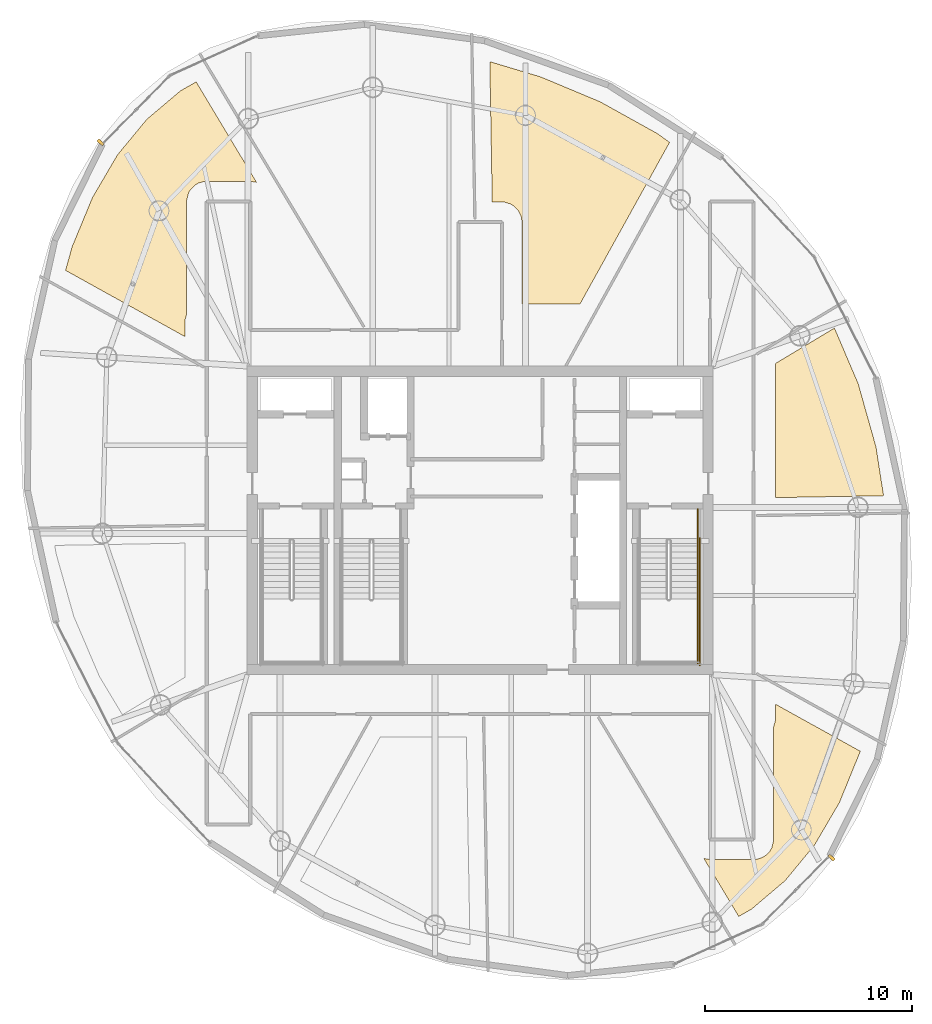
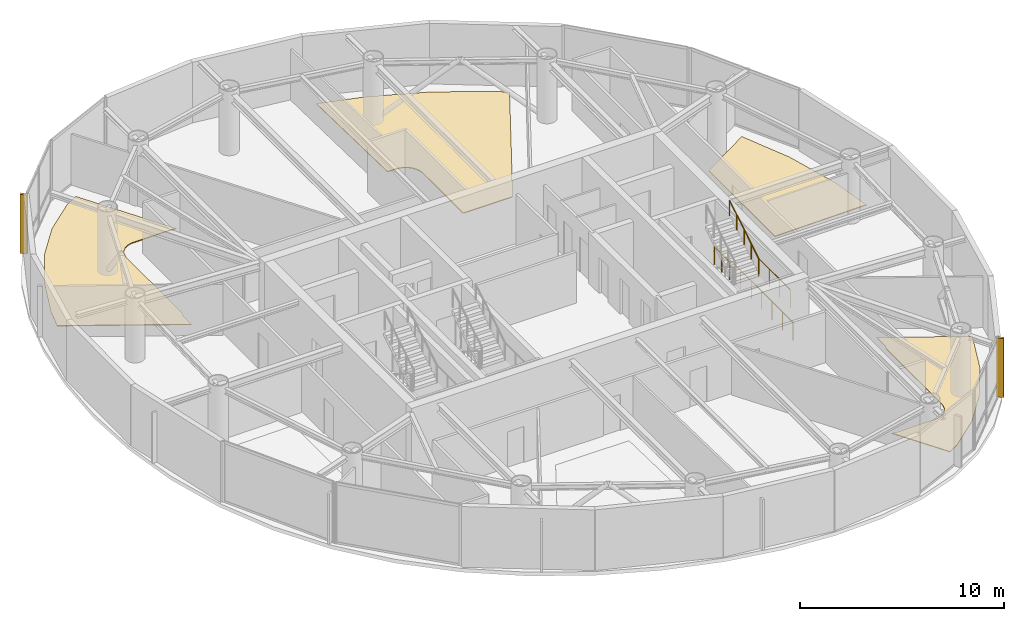
# One storey, part 22 of 22: 4 coverings, 4 railings, 2 shading devices.
"""IFC4 building model written with IfcOpenShell, lengths in metres."""

from ifc_helpers import new_model, si_unit, direction, frame, origin, origin_2d, place, context, subcontext, project, spatial, polyline, rectangle, circle, outline, extrude, material, layer, layer_set, type_object, element, save


model = new_model("IFC4")

# Units and contexts
model_context = context("Model", 3, precision=1e-05, world=origin(), true_north=direction((0.0, 1.0)))
body_context = subcontext(model_context, "Body", "Model", "MODEL_VIEW")
ifc_project = project(units=[si_unit("LENGTHUNIT", "METRE"), si_unit("AREAUNIT", "SQUARE_METRE"), si_unit("VOLUMEUNIT", "CUBIC_METRE"), si_unit("PLANEANGLEUNIT", "RADIAN"), si_unit("MASSUNIT", "GRAM", prefix="KILO")], contexts=[model_context])

# Site, building, storey
site_placement = place(None, origin())
site = spatial("IfcSite", under=ifc_project, at=site_placement, CompositionType="ELEMENT")
building_placement = place(site_placement, origin())
building = spatial("IfcBuilding", under=site, at=building_placement, Name="Bramvorn Convention Spire", CompositionType="ELEMENT")
storey_placement = place(building_placement, frame((0.0, 0.0, 253.60009765625)))
storey = spatial("IfcBuildingStorey", under=building, at=storey_placement, Name="L64", CompositionType="ELEMENT", Elevation=253.60009765625)

# Coverings
ifc_material_1 = material(Name="Calcium-Sulphate Raised Access Office Floor", Category="steel")
ifc_layer = layer(ifc_material_1, 0.044921875)
ifc_layer_set = layer_set([ifc_layer], Name="Calcium-Sulphate Raised Access Office Floor - FLR-RAISED-45")
covering_type = type_object("IfcCoveringType", Name="FLR-RAISED-45", PredefinedType="FLOORING", material=ifc_layer_set)
covering_1_placement = place(storey_placement, origin())
element("IfcCovering", 1, at=covering_1_placement, inside=storey, type_object=covering_type, Name="L64 Partner Office Chamber 1 1 raised floor finish", PredefinedType="FLOORING", context=body_context, shape_type="SweptSolid", body=[
    extrude(outline(polyline([(52.25, 33.570556640625), (52.25, 27.098876953125), (57.473388671875, 27.18994140625), (57.10498046875, 29.55322265625), (56.247314453125, 32.59912109375), (55.100830078125, 35.28369140625), (52.25, 33.570556640625)])), origin(), (0.0, 0.0, 1.0), 0.044921875),
])
covering_2_placement = place(storey_placement, origin())
element("IfcCovering", 2, at=covering_2_placement, inside=storey, type_object=covering_type, Name="L64 Partner Office Chamber 3 3 raised floor finish", PredefinedType="FLOORING", context=body_context, shape_type="SweptSolid", body=[
    extrude(outline(polyline([(38.581787109375, 41.3701171875), (39.1865234375, 41.360107421875), (39.469970703125, 41.274169921875), (39.632568359375, 41.175537109375), (39.825439453125, 40.982421875), (39.989501953125, 40.641357421875), (40.02001953125, 40.39990234375), (40.02001953125, 36.449951171875), (42.82080078125, 36.449951171875), (47.14306640625, 44.247802734375), (46.558349609375, 44.67138671875), (43.7978515625, 46.20556640625), (40.918701171875, 47.409912109375), (38.463623046875, 48.14599609375), (38.581787109375, 41.3701171875)])), origin(), (0.0, 0.0, 1.0), 0.044921875),
])
covering_3_placement = place(storey_placement, origin())
element("IfcCovering", 3, at=covering_3_placement, inside=storey, type_object=covering_type, Name="L64 Associate Office Chamber 5 5 raised floor finish", PredefinedType="FLOORING", context=body_context, shape_type="SweptSolid", body=[
    extrude(outline(polyline([(18.3046875, 39.218994140625), (17.982666015625, 38.067626953125), (23.75, 34.870849609375), (23.754150390625, 35.683349609375), (23.830078125, 35.95751953125), (23.8310546875, 41.441650390625), (23.920654296875, 41.809326171875), (24.0244140625, 41.982421875), (24.217529296875, 42.175537109375), (24.390625, 42.279296875), (24.65185546875, 42.3583984375), (26.89990234375, 42.3701171875), (27.20166015625, 42.321044921875), (24.28955078125, 47.167724609375), (23.532470703125, 46.738525390625), (21.902587890625, 45.35888671875), (20.487548828125, 43.64306640625), (19.28515625, 41.59033203125), (18.3046875, 39.218994140625)])), origin(), (0.0, 0.0, 1.0), 0.044921875),
])
covering_4_placement = place(storey_placement, origin())
element("IfcCovering", 4, at=covering_4_placement, inside=storey, type_object=covering_type, Name="L64 Tenant Briefing Room 11 raised floor finish", PredefinedType="FLOORING", context=body_context, shape_type="SweptSolid", body=[
    extrude(outline(polyline([(50.4794921875, 6.881103515625), (51.09423828125, 7.229736328125), (52.72412109375, 8.609375), (54.139404296875, 10.3251953125), (55.341796875, 12.3779296875), (56.35205078125, 14.85546875), (52.25, 17.129150390625), (52.245849609375, 16.316650390625), (52.169921875, 16.04248046875), (52.1689453125, 10.558349609375), (52.079345703125, 10.190673828125), (51.9755859375, 10.017578125), (51.782470703125, 9.824462890625), (51.609375, 9.720703125), (51.34814453125, 9.6416015625), (49.10009765625, 9.6298828125), (48.79833984375, 9.678955078125), (50.4794921875, 6.881103515625)])), origin(), (0.0, 0.0, 1.0), 0.044921875),
])

# Railings
ifc_material_2 = material(Name="Painted Steel Balustrade & Guardrail", Category="steel")
railing_type_1 = type_object("IfcRailingType", Name="RL-STAIR-GUARD-1100", PredefinedType="GUARDRAIL", material=ifc_material_2)
railing_1_placement = place(storey_placement, frame((48.5, 22.199951171875, 1.9248046875)))
element("IfcRailing", 5, at=railing_1_placement, inside=storey, type_object=railing_type_1, Name="L64 ST2 stair guard 4", PredefinedType="GUARDRAIL", context=body_context, shape_type="SweptSolid", body=[
    extrude(circle(Radius=0.02392578125, at=origin_2d()), frame((0.0, 0.0, 1.076171875), z_axis=(0.0, -1.0, 0.0), x_axis=(1.0, 0.0, 0.0)), (0.0, 0.0, 1.0), 3.099853515625),
    extrude(circle(Radius=0.02099609375, at=origin_2d()), origin(), (0.0, 0.0, 1.0), 1.052001953125),
    extrude(circle(Radius=0.02099609375, at=origin_2d()), frame((0.0, -1.033203125, 0.0)), (0.0, 0.0, 1.0), 1.052001953125),
    extrude(circle(Radius=0.02099609375, at=origin_2d()), frame((0.0, -2.066650390625, 0.0)), (0.0, 0.0, 1.0), 1.052001953125),
    extrude(circle(Radius=0.02099609375, at=origin_2d()), frame((0.0, -3.099853515625, 0.0)), (0.0, 0.0, 1.0), 1.052001953125),
])
railing_2_placement = place(storey_placement, frame((48.5, 26.550048828125, 0.0)))
element("IfcRailing", 6, at=railing_2_placement, inside=storey, type_object=railing_type_1, Name="L64 ST2 stair guard 9", PredefinedType="GUARDRAIL", context=body_context, shape_type="SweptSolid", body=[
    extrude(circle(Radius=0.02392578125, at=origin_2d()), frame((0.0, 0.0, 1.076171875), z_axis=(0.0, -1.0, 0.0), x_axis=(1.0, 0.0, 0.0)), (0.0, 0.0, 1.0), 1.5),
    extrude(circle(Radius=0.02099609375, at=origin_2d()), origin(), (0.0, 0.0, 1.0), 1.052001953125),
    extrude(circle(Radius=0.02099609375, at=origin_2d()), frame((0.0, -0.75, 0.0)), (0.0, 0.0, 1.0), 1.052001953125),
    extrude(circle(Radius=0.02099609375, at=origin_2d()), frame((0.0, -1.5, 0.0)), (0.0, 0.0, 1.0), 1.052001953125),
])
railing_3_placement = place(storey_placement, frame((48.60009765625, 25.14990234375, 0.0)))
element("IfcRailing", 7, at=railing_3_placement, inside=storey, type_object=railing_type_1, Name="L64 ST2 stair guard 11", PredefinedType="GUARDRAIL", context=body_context, shape_type="SweptSolid", body=[
    extrude(circle(Radius=0.02392578125, at=origin_2d()), frame((0.0, 0.0, 1.076171875), z_axis=(0.0, -1.0, 0.0), x_axis=(1.0, 0.0, 0.0)), (0.0, 0.0, 1.0), 6.14990234375),
    extrude(circle(Radius=0.02099609375, at=origin_2d()), origin(), (0.0, 0.0, 1.0), 1.052001953125),
    extrude(circle(Radius=0.02099609375, at=origin_2d()), frame((0.0, -1.02490234375, 0.0)), (0.0, 0.0, 1.0), 1.052001953125),
    extrude(circle(Radius=0.02099609375, at=origin_2d()), frame((0.0, -2.050048828125, 0.0)), (0.0, 0.0, 1.0), 1.052001953125),
    extrude(circle(Radius=0.02099609375, at=origin_2d()), frame((0.0, -3.074951171875, 0.0)), (0.0, 0.0, 1.0), 1.052001953125),
    extrude(circle(Radius=0.02099609375, at=origin_2d()), frame((0.0, -4.099853515625, 0.0)), (0.0, 0.0, 1.0), 1.052001953125),
    extrude(circle(Radius=0.02099609375, at=origin_2d()), frame((0.0, -5.125, 0.0)), (0.0, 0.0, 1.0), 1.052001953125),
    extrude(circle(Radius=0.02099609375, at=origin_2d()), frame((0.0, -6.14990234375, 0.0)), (0.0, 0.0, 1.0), 1.052001953125),
])
ifc_material_3 = material(Name="Brushed Bronze Tubular Handrail", Category="aluminium")
railing_type_2 = type_object("IfcRailingType", Name="RL-STAIR-HR-920", PredefinedType="HANDRAIL", material=ifc_material_3)
railing_4_placement = place(storey_placement, frame((48.5, 22.199951171875, 2.099853515625)))
element("IfcRailing", 8, at=railing_4_placement, inside=storey, type_object=railing_type_2, Name="L64 ST2 stair handrail 2", PredefinedType="HANDRAIL", context=body_context, shape_type="SweptSolid", body=[
    extrude(circle(Radius=0.02392578125, at=origin_2d()), frame((0.0, 0.0, 0.89599609375), z_axis=(0.0, 0.852179220489, 0.52325001306), x_axis=(-1.0, 0.0, 0.0)), (0.0, 0.0, 1.0), 3.344482421875),
    extrude(circle(Radius=0.02099609375, at=origin_2d()), origin(), (0.0, 0.0, 1.0), 0.871826171875),
    extrude(circle(Radius=0.02099609375, at=origin_2d()), frame((0.0, 0.71240234375, 0.4375)), (0.0, 0.0, 1.0), 0.871826171875),
    extrude(circle(Radius=0.02099609375, at=origin_2d()), frame((0.0, 1.425048828125, 0.875)), (0.0, 0.0, 1.0), 0.871826171875),
    extrude(circle(Radius=0.02099609375, at=origin_2d()), frame((0.0, 2.1376953125, 1.3125)), (0.0, 0.0, 1.0), 0.871826171875),
    extrude(circle(Radius=0.02099609375, at=origin_2d()), frame((0.0, 2.85009765625, 1.75)), (0.0, 0.0, 1.0), 0.871826171875),
])

# Shading devices
ifc_material_4 = material(Name="Extruded Champagne Bronze Aluminium Lancet Fin", Category="aluminium")
shading_device_type = type_object("IfcShadingDeviceType", Name="SHD-FIN-LANCET", PredefinedType="SHUTTER", material=ifc_material_4)
for number, where, z_axis, x_axis, name in (
    (9, (54.955078125, 9.727783203125, 0.050048828125), (0.0, 0.0, 1.0), (0.721482700155, -0.692432461239, 0.0), "L64 Gothic bronze wind-corner fin 01"),
    (10, (19.67333984375, 44.2421875, 0.050048828125), (0.0, 0.0, 1.0), (-0.708736714682, 0.705473081883, 0.0), "L64 Gothic bronze wind-corner fin 13"),
):
    element("IfcShadingDevice", number, at=place(storey_placement, frame(where, z_axis=z_axis, x_axis=x_axis)), inside=storey, type_object=shading_device_type, Name=name, PredefinedType="SHUTTER", context=body_context, shape_type="SweptSolid", body=[
        extrude(rectangle(XDim=0.360107421875, YDim=0.139892578125, at=origin_2d()), origin(), (0.0, 0.0, 1.0), 3.52490234375),
    ])

save(model, "model.ifc")
